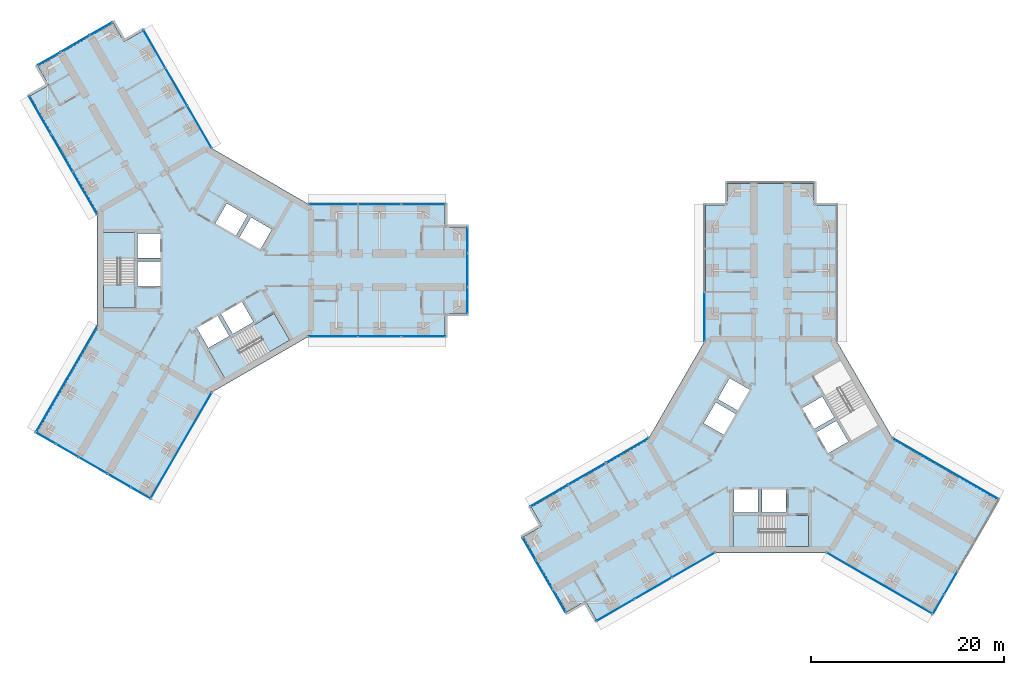
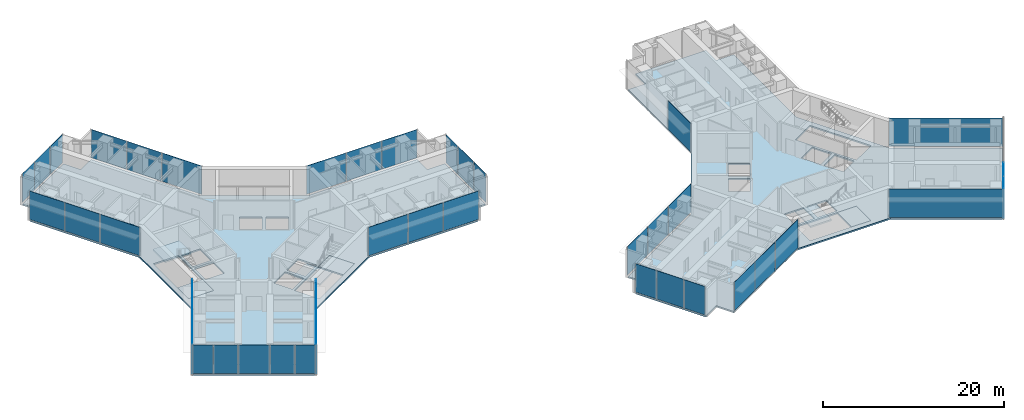
# One storey, part 13 of 22: 39 plates, 8 slabs, 19 elements without a shape of their own.
"""IFC4 building model written with IfcOpenShell, lengths in metres."""

from ifc_helpers import new_model, si_unit, direction, frame, origin, origin_2d, place, context, subcontext, project, spatial, polyline, rectangle, outline, extrude, material, layer, layer_set, type_object, element, aggregate, save


model = new_model("IFC4")

# Units and contexts
model_context = context("Model", 3, precision=1e-05, world=origin(), true_north=direction((0.0, 1.0)))
body_context = subcontext(model_context, "Body", "Model", "MODEL_VIEW")
ifc_project = project(units=[si_unit("LENGTHUNIT", "METRE"), si_unit("AREAUNIT", "SQUARE_METRE"), si_unit("VOLUMEUNIT", "CUBIC_METRE"), si_unit("PLANEANGLEUNIT", "RADIAN"), si_unit("MASSUNIT", "GRAM", prefix="KILO")], contexts=[model_context])

# Site, building, storey
site_placement = place(None, origin())
site = spatial("IfcSite", under=ifc_project, at=site_placement, CompositionType="ELEMENT")
building_placement = place(site_placement, origin())
building = spatial("IfcBuilding", under=site, at=building_placement, Name="Upepo Twin Towers", CompositionType="ELEMENT")
storey_placement = place(building_placement, frame((0.0, 0.0, 125.5)))
storey = spatial("IfcBuildingStorey", under=building, at=storey_placement, Name="L30", CompositionType="ELEMENT", Elevation=125.5)

# Curtain wall, plates
ifc_material_1 = material(Name="Aluminium and fritted glass", Category="aluminium")
curtain_wall_type = type_object("IfcCurtainWallType", Name="Tower curtain wall TW2, fritted glass", PredefinedType="NOTDEFINED", material=ifc_material_1)
curtain_wall_1_placement = place(storey_placement, origin())
curtain_wall_1 = element("IfcCurtainWall", 1, at=curtain_wall_1_placement, inside=storey, type_object=curtain_wall_type, Name="T1 L30 wing A flank L curtain wall", PredefinedType="NOTDEFINED")
ifc_material_2 = material(Name="Ceramic-fritted laminated glass", Category="glass")
ifc_layer_1 = layer(ifc_material_2, 0.031982421875)
ifc_layer_set_1 = layer_set([ifc_layer_1], Name="Fritted glass panel, 40 per cent dot frit, 32 mm double glazed")
plate_type_1 = type_object("IfcPlateType", Name="Fritted glass panel, 40 per cent dot frit, 32 mm double glazed", PredefinedType="CURTAIN_PANEL", material=ifc_layer_set_1)
plate_1_placement = place(storey_placement, frame((13.184814453125, 6.85009765625, 0.14990234375), z_axis=(0.0, 0.0, 1.0), x_axis=(1.0, 0.0, 0.0)))
plate_1 = element("IfcPlate", 2, at=plate_1_placement, type_object=plate_type_1, Name="T1 L30 wing A flank L curtain wall panel 1", PredefinedType="CURTAIN_PANEL", context=body_context, shape_type="SweptSolid", body=[
    extrude(rectangle(XDim=5.0654296875, YDim=0.031982421875, at=origin_2d()), origin(), (0.0, 0.0, 1.0), 3.85009765625),
])
plate_2_placement = place(storey_placement, frame((18.0, 6.85009765625, 0.14990234375), z_axis=(0.0, 0.0, 1.0), x_axis=(1.0, 0.0, 0.0)))
plate_2 = element("IfcPlate", 3, at=plate_2_placement, type_object=plate_type_1, Name="T1 L30 wing A flank L curtain wall panel 2", PredefinedType="CURTAIN_PANEL", context=body_context, shape_type="SweptSolid", body=[
    extrude(rectangle(XDim=4.43505859375, YDim=0.031982421875, at=origin_2d()), origin(), (0.0, 0.0, 1.0), 3.85009765625),
])
plate_3_placement = place(storey_placement, frame((22.53369140625, 6.85009765625, 0.14990234375), z_axis=(0.0, 0.0, 1.0), x_axis=(1.0, 0.0, 0.0)))
plate_3 = element("IfcPlate", 4, at=plate_3_placement, type_object=plate_type_1, Name="T1 L30 wing A flank L curtain wall panel 3", PredefinedType="CURTAIN_PANEL", context=body_context, shape_type="SweptSolid", body=[
    extrude(rectangle(XDim=4.50244140625, YDim=0.031982421875, at=origin_2d()), origin(), (0.0, 0.0, 1.0), 3.85009765625),
])
aggregate(curtain_wall_1, [plate_1, plate_2, plate_3])

curtain_wall_2_placement = place(storey_placement, origin())
curtain_wall_2 = element("IfcCurtainWall", 5, at=curtain_wall_2_placement, inside=storey, type_object=curtain_wall_type, Name="T1 L30 wing A flank R curtain wall", PredefinedType="NOTDEFINED")
plate_4_placement = place(storey_placement, frame((22.53369140625, -6.85009765625, 0.14990234375), z_axis=(0.0, 0.0, 1.0), x_axis=(-1.0, 0.0, 0.0)))
plate_4 = element("IfcPlate", 6, at=plate_4_placement, type_object=plate_type_1, Name="T1 L30 wing A flank R curtain wall panel 1", PredefinedType="CURTAIN_PANEL", context=body_context, shape_type="SweptSolid", body=[
    extrude(rectangle(XDim=4.50244140625, YDim=0.031982421875, at=origin_2d()), origin(), (0.0, 0.0, 1.0), 3.85009765625),
])
plate_5_placement = place(storey_placement, frame((18.0, -6.85009765625, 0.14990234375), z_axis=(0.0, 0.0, 1.0), x_axis=(-1.0, 0.0, 0.0)))
plate_5 = element("IfcPlate", 7, at=plate_5_placement, type_object=plate_type_1, Name="T1 L30 wing A flank R curtain wall panel 2", PredefinedType="CURTAIN_PANEL", context=body_context, shape_type="SweptSolid", body=[
    extrude(rectangle(XDim=4.43505859375, YDim=0.031982421875, at=origin_2d()), origin(), (0.0, 0.0, 1.0), 3.85009765625),
])
plate_6_placement = place(storey_placement, frame((13.184814453125, -6.85009765625, 0.14990234375), z_axis=(0.0, 0.0, 1.0), x_axis=(-1.0, 0.0, 0.0)))
plate_6 = element("IfcPlate", 8, at=plate_6_placement, type_object=plate_type_1, Name="T1 L30 wing A flank R curtain wall panel 3", PredefinedType="CURTAIN_PANEL", context=body_context, shape_type="SweptSolid", body=[
    extrude(rectangle(XDim=5.0654296875, YDim=0.031982421875, at=origin_2d()), origin(), (0.0, 0.0, 1.0), 3.85009765625),
])
aggregate(curtain_wall_2, [plate_4, plate_5, plate_6])

# Curtain wall, plate
curtain_wall_3_placement = place(storey_placement, origin())
curtain_wall_3 = element("IfcCurtainWall", 9, at=curtain_wall_3_placement, inside=storey, type_object=curtain_wall_type, Name="T1 L30 wing A nose curtain wall", PredefinedType="NOTDEFINED")
plate_7_placement = place(storey_placement, frame((27.10009765625, 0.0, 0.14990234375), z_axis=(0.0, 0.0, 1.0), x_axis=(0.0, 1.0, 0.0)))
plate_7 = element("IfcPlate", 10, at=plate_7_placement, type_object=plate_type_1, Name="T1 L30 wing A nose curtain wall panel 2", PredefinedType="CURTAIN_PANEL", context=body_context, shape_type="SweptSolid", body=[
    extrude(rectangle(XDim=3.43505859375, YDim=0.031982421875, at=origin_2d()), origin(), (0.0, 0.0, 1.0), 3.85009765625),
])

# Curtain wall, plates
curtain_wall_4_placement = place(storey_placement, origin())
curtain_wall_4 = element("IfcCurtainWall", 11, at=curtain_wall_4_placement, inside=storey, type_object=curtain_wall_type, Name="T1 L30 wing B flank L curtain wall", PredefinedType="NOTDEFINED")
plate_8_placement = place(storey_placement, frame((-12.524658203125, 7.993408203125, 0.14990234375), z_axis=(0.0, 0.0, 1.0), x_axis=(-0.500000010308, 0.866025397833, 0.0)))
plate_8 = element("IfcPlate", 12, at=plate_8_placement, type_object=plate_type_1, Name="T1 L30 wing B flank L curtain wall panel 1", PredefinedType="CURTAIN_PANEL", context=body_context, shape_type="SweptSolid", body=[
    extrude(rectangle(XDim=5.0654296875, YDim=0.031982421875, at=origin_2d()), origin(), (0.0, 0.0, 1.0), 3.85009765625),
])
plate_9_placement = place(storey_placement, frame((-14.932373046875, 12.16357421875, 0.14990234375), z_axis=(0.0, 0.0, 1.0), x_axis=(-0.500000010308, 0.866025397833, 0.0)))
plate_9 = element("IfcPlate", 13, at=plate_9_placement, type_object=plate_type_1, Name="T1 L30 wing B flank L curtain wall panel 2", PredefinedType="CURTAIN_PANEL", context=body_context, shape_type="SweptSolid", body=[
    extrude(rectangle(XDim=4.43505859375, YDim=0.031982421875, at=origin_2d()), origin(), (0.0, 0.0, 1.0), 3.85009765625),
])
plate_10_placement = place(storey_placement, frame((-17.19921875, 16.08984375, 0.14990234375), z_axis=(0.0, 0.0, 1.0), x_axis=(-0.500000010308, 0.866025397833, 0.0)))
plate_10 = element("IfcPlate", 14, at=plate_10_placement, type_object=plate_type_1, Name="T1 L30 wing B flank L curtain wall panel 3", PredefinedType="CURTAIN_PANEL", context=body_context, shape_type="SweptSolid", body=[
    extrude(rectangle(XDim=4.50244140625, YDim=0.031982421875, at=origin_2d()), origin(), (0.0, 0.0, 1.0), 3.85009765625),
])
aggregate(curtain_wall_4, [plate_8, plate_9, plate_10])

curtain_wall_5_placement = place(storey_placement, origin())
curtain_wall_5 = element("IfcCurtainWall", 15, at=curtain_wall_5_placement, inside=storey, type_object=curtain_wall_type, Name="T1 L30 wing B flank R curtain wall", PredefinedType="NOTDEFINED")
plate_11_placement = place(storey_placement, frame((-5.334716796875, 22.939697265625, 0.14990234375), z_axis=(0.0, 0.0, 1.0), x_axis=(0.500000010308, -0.866025397833, 0.0)))
plate_11 = element("IfcPlate", 16, at=plate_11_placement, type_object=plate_type_1, Name="T1 L30 wing B flank R curtain wall panel 1", PredefinedType="CURTAIN_PANEL", context=body_context, shape_type="SweptSolid", body=[
    extrude(rectangle(XDim=4.50244140625, YDim=0.031982421875, at=origin_2d()), origin(), (0.0, 0.0, 1.0), 3.85009765625),
])
plate_12_placement = place(storey_placement, frame((-3.067626953125, 19.013427734375, 0.14990234375), z_axis=(0.0, 0.0, 1.0), x_axis=(0.500000010308, -0.866025397833, 0.0)))
plate_12 = element("IfcPlate", 17, at=plate_12_placement, type_object=plate_type_1, Name="T1 L30 wing B flank R curtain wall panel 2", PredefinedType="CURTAIN_PANEL", context=body_context, shape_type="SweptSolid", body=[
    extrude(rectangle(XDim=4.43505859375, YDim=0.031982421875, at=origin_2d()), origin(), (0.0, 0.0, 1.0), 3.85009765625),
])
plate_13_placement = place(storey_placement, frame((-0.66015625, 14.84326171875, 0.14990234375), z_axis=(0.0, 0.0, 1.0), x_axis=(0.500000010308, -0.866025397833, 0.0)))
plate_13 = element("IfcPlate", 18, at=plate_13_placement, type_object=plate_type_1, Name="T1 L30 wing B flank R curtain wall panel 3", PredefinedType="CURTAIN_PANEL", context=body_context, shape_type="SweptSolid", body=[
    extrude(rectangle(XDim=5.0654296875, YDim=0.031982421875, at=origin_2d()), origin(), (0.0, 0.0, 1.0), 3.85009765625),
])
aggregate(curtain_wall_5, [plate_11, plate_12, plate_13])

# Curtain wall, plate
curtain_wall_6_placement = place(storey_placement, origin())
curtain_wall_6 = element("IfcCurtainWall", 19, at=curtain_wall_6_placement, inside=storey, type_object=curtain_wall_type, Name="T1 L30 wing B nose curtain wall", PredefinedType="NOTDEFINED")
plate_14_placement = place(storey_placement, frame((-13.550048828125, 23.46923828125, 0.14990234375), z_axis=(0.0, 0.0, 1.0), x_axis=(-0.866025386174, -0.500000030502, 0.0)))
plate_14 = element("IfcPlate", 20, at=plate_14_placement, type_object=plate_type_1, Name="T1 L30 wing B nose curtain wall panel 2", PredefinedType="CURTAIN_PANEL", context=body_context, shape_type="SweptSolid", body=[
    extrude(rectangle(XDim=3.43505859375, YDim=0.031982421875, at=origin_2d()), origin(), (0.0, 0.0, 1.0), 3.85009765625),
])

curtain_wall_7_placement = place(storey_placement, origin())
curtain_wall_7 = element("IfcCurtainWall", 21, at=curtain_wall_7_placement, inside=storey, type_object=curtain_wall_type, Name="T1 L30 wing C flank L curtain wall", PredefinedType="NOTDEFINED")
plate_15_placement = place(storey_placement, frame((-2.552001953125, -18.1201171875, 0.14990234375), z_axis=(0.0, 0.0, 1.0), x_axis=(-0.50000000792, -0.866025399212, 0.0)))
plate_15 = element("IfcPlate", 22, at=plate_15_placement, type_object=plate_type_1, Name="T1 L30 wing C flank L curtain wall panel 1", PredefinedType="CURTAIN_PANEL", context=body_context, shape_type="SweptSolid", body=[
    extrude(rectangle(XDim=12.6328125, YDim=0.031982421875, at=origin_2d()), origin(), (0.0, 0.0, 1.0), 3.85009765625),
])
aggregate(curtain_wall_7, [plate_15])

curtain_wall_8_placement = place(storey_placement, origin())
curtain_wall_8 = element("IfcCurtainWall", 23, at=curtain_wall_8_placement, inside=storey, type_object=curtain_wall_type, Name="T1 L30 wing C flank R curtain wall", PredefinedType="NOTDEFINED")
plate_16_placement = place(storey_placement, frame((-14.41650390625, -11.270263671875, 0.14990234375), z_axis=(0.0, 0.0, 1.0), x_axis=(0.50000000792, 0.866025399212, 0.0)))
plate_16 = element("IfcPlate", 24, at=plate_16_placement, type_object=plate_type_1, Name="T1 L30 wing C flank R curtain wall panel 1", PredefinedType="CURTAIN_PANEL", context=body_context, shape_type="SweptSolid", body=[
    extrude(rectangle(XDim=12.6328125, YDim=0.031982421875, at=origin_2d()), origin(), (0.0, 0.0, 1.0), 3.85009765625),
])
aggregate(curtain_wall_8, [plate_16])

# Curtain wall, plates
curtain_wall_9_placement = place(storey_placement, origin())
curtain_wall_9 = element("IfcCurtainWall", 25, at=curtain_wall_9_placement, inside=storey, type_object=curtain_wall_type, Name="T1 L30 wing C nose curtain wall", PredefinedType="NOTDEFINED")
plate_17_placement = place(storey_placement, frame((-14.38134765625, -18.6591796875, 0.14990234375), z_axis=(0.0, 0.0, 1.0), x_axis=(0.866025419745, -0.499999972355, 0.0)))
plate_17 = element("IfcPlate", 26, at=plate_17_placement, type_object=plate_type_1, Name="T1 L30 wing C nose curtain wall panel 2", PredefinedType="CURTAIN_PANEL", context=body_context, shape_type="SweptSolid", body=[
    extrude(rectangle(XDim=2.68505859375, YDim=0.031982421875, at=origin_2d()), origin(), (0.0, 0.0, 1.0), 3.85009765625),
])
plate_18_placement = place(storey_placement, frame((-11.675048828125, -20.2216796875, 0.14990234375), z_axis=(0.0, 0.0, 1.0), x_axis=(0.866025419745, -0.499999972355, 0.0)))
plate_18 = element("IfcPlate", 27, at=plate_18_placement, type_object=plate_type_1, Name="T1 L30 wing C nose curtain wall panel 3", PredefinedType="CURTAIN_PANEL", context=body_context, shape_type="SweptSolid", body=[
    extrude(rectangle(XDim=3.43505859375, YDim=0.031982421875, at=origin_2d()), origin(), (0.0, 0.0, 1.0), 3.85009765625),
])
plate_19_placement = place(storey_placement, frame((-8.96875, -21.7841796875, 0.14990234375), z_axis=(0.0, 0.0, 1.0), x_axis=(0.866025419745, -0.499999972355, 0.0)))
plate_19 = element("IfcPlate", 28, at=plate_19_placement, type_object=plate_type_1, Name="T1 L30 wing C nose curtain wall panel 4", PredefinedType="CURTAIN_PANEL", context=body_context, shape_type="SweptSolid", body=[
    extrude(rectangle(XDim=2.68505859375, YDim=0.031982421875, at=origin_2d()), origin(), (0.0, 0.0, 1.0), 3.85009765625),
])

# Curtain wall, plate
curtain_wall_10_placement = place(storey_placement, origin())
curtain_wall_10 = element("IfcCurtainWall", 29, at=curtain_wall_10_placement, inside=storey, type_object=curtain_wall_type, Name="T2 L30 wing A flank L curtain wall", PredefinedType="NOTDEFINED")
plate_20_placement = place(storey_placement, frame((51.64990234375, -4.815185546875, 0.14990234375), z_axis=(0.0, 0.0, 1.0), x_axis=(0.0, 1.0, 0.0)))
plate_20 = element("IfcPlate", 30, at=plate_20_placement, type_object=plate_type_1, Name="T2 L30 wing A flank L curtain wall panel 1", PredefinedType="CURTAIN_PANEL", context=body_context, shape_type="SweptSolid", body=[
    extrude(rectangle(XDim=5.0654296875, YDim=0.031982421875, at=origin_2d()), origin(), (0.0, 0.0, 1.0), 3.85009765625),
])
aggregate(curtain_wall_10, [plate_20])

# Curtain wall, plates
curtain_wall_11_placement = place(storey_placement, origin())
curtain_wall_11 = element("IfcCurtainWall", 31, at=curtain_wall_11_placement, inside=storey, type_object=curtain_wall_type, Name="T2 L30 wing B flank L curtain wall", PredefinedType="NOTDEFINED")
plate_21_placement = place(storey_placement, frame((50.506591796875, -30.524658203125, 0.14990234375), z_axis=(0.0, 0.0, 1.0), x_axis=(-0.866025397833, -0.500000010308, 0.0)))
plate_21 = element("IfcPlate", 32, at=plate_21_placement, type_object=plate_type_1, Name="T2 L30 wing B flank L curtain wall panel 1", PredefinedType="CURTAIN_PANEL", context=body_context, shape_type="SweptSolid", body=[
    extrude(rectangle(XDim=5.0654296875, YDim=0.031982421875, at=origin_2d()), origin(), (0.0, 0.0, 1.0), 3.85009765625),
])
plate_22_placement = place(storey_placement, frame((46.33642578125, -32.932373046875, 0.14990234375), z_axis=(0.0, 0.0, 1.0), x_axis=(-0.866025397833, -0.500000010308, 0.0)))
plate_22 = element("IfcPlate", 33, at=plate_22_placement, type_object=plate_type_1, Name="T2 L30 wing B flank L curtain wall panel 2", PredefinedType="CURTAIN_PANEL", context=body_context, shape_type="SweptSolid", body=[
    extrude(rectangle(XDim=4.43505859375, YDim=0.031982421875, at=origin_2d()), origin(), (0.0, 0.0, 1.0), 3.85009765625),
])
plate_23_placement = place(storey_placement, frame((42.41015625, -35.19921875, 0.14990234375), z_axis=(0.0, 0.0, 1.0), x_axis=(-0.866025397833, -0.500000010308, 0.0)))
plate_23 = element("IfcPlate", 34, at=plate_23_placement, type_object=plate_type_1, Name="T2 L30 wing B flank L curtain wall panel 3", PredefinedType="CURTAIN_PANEL", context=body_context, shape_type="SweptSolid", body=[
    extrude(rectangle(XDim=4.50244140625, YDim=0.031982421875, at=origin_2d()), origin(), (0.0, 0.0, 1.0), 3.85009765625),
])
aggregate(curtain_wall_11, [plate_21, plate_22, plate_23])

curtain_wall_12_placement = place(storey_placement, origin())
curtain_wall_12 = element("IfcCurtainWall", 35, at=curtain_wall_12_placement, inside=storey, type_object=curtain_wall_type, Name="T2 L30 wing B flank R curtain wall", PredefinedType="NOTDEFINED")
plate_24_placement = place(storey_placement, frame((35.560302734375, -23.334716796875, 0.14990234375), z_axis=(0.0, 0.0, 1.0), x_axis=(0.866025397833, 0.500000010308, 0.0)))
plate_24 = element("IfcPlate", 36, at=plate_24_placement, type_object=plate_type_1, Name="T2 L30 wing B flank R curtain wall panel 1", PredefinedType="CURTAIN_PANEL", context=body_context, shape_type="SweptSolid", body=[
    extrude(rectangle(XDim=4.50244140625, YDim=0.031982421875, at=origin_2d()), origin(), (0.0, 0.0, 1.0), 3.85009765625),
])
plate_25_placement = place(storey_placement, frame((39.486572265625, -21.067626953125, 0.14990234375), z_axis=(0.0, 0.0, 1.0), x_axis=(0.866025397833, 0.500000010308, 0.0)))
plate_25 = element("IfcPlate", 37, at=plate_25_placement, type_object=plate_type_1, Name="T2 L30 wing B flank R curtain wall panel 2", PredefinedType="CURTAIN_PANEL", context=body_context, shape_type="SweptSolid", body=[
    extrude(rectangle(XDim=4.43505859375, YDim=0.031982421875, at=origin_2d()), origin(), (0.0, 0.0, 1.0), 3.85009765625),
])
plate_26_placement = place(storey_placement, frame((43.65673828125, -18.66015625, 0.14990234375), z_axis=(0.0, 0.0, 1.0), x_axis=(0.866025397833, 0.500000010308, 0.0)))
plate_26 = element("IfcPlate", 38, at=plate_26_placement, type_object=plate_type_1, Name="T2 L30 wing B flank R curtain wall panel 3", PredefinedType="CURTAIN_PANEL", context=body_context, shape_type="SweptSolid", body=[
    extrude(rectangle(XDim=5.0654296875, YDim=0.031982421875, at=origin_2d()), origin(), (0.0, 0.0, 1.0), 3.85009765625),
])
aggregate(curtain_wall_12, [plate_24, plate_25, plate_26])

# Curtain wall, plate
curtain_wall_13_placement = place(storey_placement, origin())
curtain_wall_13 = element("IfcCurtainWall", 39, at=curtain_wall_13_placement, inside=storey, type_object=curtain_wall_type, Name="T2 L30 wing B nose curtain wall", PredefinedType="NOTDEFINED")
plate_27_placement = place(storey_placement, frame((35.03076171875, -31.550048828125, 0.14990234375), z_axis=(0.0, 0.0, 1.0), x_axis=(0.500000030502, -0.866025386174, 0.0)))
plate_27 = element("IfcPlate", 40, at=plate_27_placement, type_object=plate_type_1, Name="T2 L30 wing B nose curtain wall panel 2", PredefinedType="CURTAIN_PANEL", context=body_context, shape_type="SweptSolid", body=[
    extrude(rectangle(XDim=3.43505859375, YDim=0.031982421875, at=origin_2d()), origin(), (0.0, 0.0, 1.0), 3.85009765625),
])

curtain_wall_14_placement = place(storey_placement, origin())
curtain_wall_14 = element("IfcCurtainWall", 41, at=curtain_wall_14_placement, inside=storey, type_object=curtain_wall_type, Name="T2 L30 wing C flank L curtain wall", PredefinedType="NOTDEFINED")
plate_28_placement = place(storey_placement, frame((76.6201171875, -20.552001953125, 0.14990234375), z_axis=(0.0, 0.0, 1.0), x_axis=(0.866025399212, -0.50000000792, 0.0)))
plate_28 = element("IfcPlate", 42, at=plate_28_placement, type_object=plate_type_1, Name="T2 L30 wing C flank L curtain wall panel 1", PredefinedType="CURTAIN_PANEL", context=body_context, shape_type="SweptSolid", body=[
    extrude(rectangle(XDim=12.6328125, YDim=0.031982421875, at=origin_2d()), origin(), (0.0, 0.0, 1.0), 3.85009765625),
])
aggregate(curtain_wall_14, [plate_28])

curtain_wall_15_placement = place(storey_placement, origin())
curtain_wall_15 = element("IfcCurtainWall", 43, at=curtain_wall_15_placement, inside=storey, type_object=curtain_wall_type, Name="T2 L30 wing C flank R curtain wall", PredefinedType="NOTDEFINED")
plate_29_placement = place(storey_placement, frame((69.770263671875, -32.41650390625, 0.14990234375), z_axis=(0.0, 0.0, 1.0), x_axis=(-0.866025399212, 0.50000000792, 0.0)))
plate_29 = element("IfcPlate", 44, at=plate_29_placement, type_object=plate_type_1, Name="T2 L30 wing C flank R curtain wall panel 1", PredefinedType="CURTAIN_PANEL", context=body_context, shape_type="SweptSolid", body=[
    extrude(rectangle(XDim=12.6328125, YDim=0.031982421875, at=origin_2d()), origin(), (0.0, 0.0, 1.0), 3.85009765625),
])
aggregate(curtain_wall_15, [plate_29])

curtain_wall_16_placement = place(storey_placement, origin())
curtain_wall_16 = element("IfcCurtainWall", 45, at=curtain_wall_16_placement, inside=storey, type_object=curtain_wall_type, Name="T2 L30 wing C nose curtain wall", PredefinedType="NOTDEFINED")
plate_30_placement = place(storey_placement, frame((77.1591796875, -32.38134765625, 0.14990234375), z_axis=(0.0, 0.0, 1.0), x_axis=(0.499999972355, 0.866025419745, 0.0)))
plate_30 = element("IfcPlate", 46, at=plate_30_placement, type_object=plate_type_1, Name="T2 L30 wing C nose curtain wall panel 2", PredefinedType="CURTAIN_PANEL", context=body_context, shape_type="SweptSolid", body=[
    extrude(rectangle(XDim=2.68505859375, YDim=0.031982421875, at=origin_2d()), origin(), (0.0, 0.0, 1.0), 3.85009765625),
])

# Plate
ifc_material_3 = material(Name="Clear laminated glass in opening sash", Category="glass")
ifc_layer_2 = layer(ifc_material_3, 0.031982421875)
ifc_layer_set_2 = layer_set([ifc_layer_2], Name="Operable glass panel, 32 mm double glazed")
plate_type_2 = type_object("IfcPlateType", Name="Operable glass panel, 32 mm double glazed", PredefinedType="CURTAIN_PANEL", material=ifc_layer_set_2)
plate_31_placement = place(storey_placement, frame((27.10009765625, -3.108642578125, 0.14990234375), z_axis=(0.0, 0.0, 1.0), x_axis=(0.0, 1.0, 0.0)))
plate_31 = element("IfcPlate", 47, at=plate_31_placement, type_object=plate_type_2, Name="T1 L30 wing A nose curtain wall panel 1", PredefinedType="CURTAIN_PANEL", context=body_context, shape_type="SweptSolid", body=[
    extrude(rectangle(XDim=2.652587890625, YDim=0.031982421875, at=origin_2d()), origin(), (0.0, 0.0, 1.0), 3.85009765625),
])

plate_32_placement = place(storey_placement, frame((27.10009765625, 3.108642578125, 0.14990234375), z_axis=(0.0, 0.0, 1.0), x_axis=(0.0, 1.0, 0.0)))
plate_32 = element("IfcPlate", 48, at=plate_32_placement, type_object=plate_type_2, Name="T1 L30 wing A nose curtain wall panel 3", PredefinedType="CURTAIN_PANEL", context=body_context, shape_type="SweptSolid", body=[
    extrude(rectangle(XDim=2.652587890625, YDim=0.031982421875, at=origin_2d()), origin(), (0.0, 0.0, 1.0), 3.85009765625),
])

aggregate(curtain_wall_3, [plate_31, plate_7, plate_32])

plate_33_placement = place(storey_placement, frame((-10.857666015625, 25.023681640625, 0.14990234375), z_axis=(0.0, 0.0, 1.0), x_axis=(-0.866025386174, -0.500000030502, 0.0)))
plate_33 = element("IfcPlate", 49, at=plate_33_placement, type_object=plate_type_2, Name="T1 L30 wing B nose curtain wall panel 1", PredefinedType="CURTAIN_PANEL", context=body_context, shape_type="SweptSolid", body=[
    extrude(rectangle(XDim=2.652587890625, YDim=0.031982421875, at=origin_2d()), origin(), (0.0, 0.0, 1.0), 3.85009765625),
])

plate_34_placement = place(storey_placement, frame((-16.2421875, 21.914794921875, 0.14990234375), z_axis=(0.0, 0.0, 1.0), x_axis=(-0.866025386174, -0.500000030502, 0.0)))
plate_34 = element("IfcPlate", 50, at=plate_34_placement, type_object=plate_type_2, Name="T1 L30 wing B nose curtain wall panel 3", PredefinedType="CURTAIN_PANEL", context=body_context, shape_type="SweptSolid", body=[
    extrude(rectangle(XDim=2.652587890625, YDim=0.031982421875, at=origin_2d()), origin(), (0.0, 0.0, 1.0), 3.85009765625),
])

aggregate(curtain_wall_6, [plate_33, plate_14, plate_34])

plate_35_placement = place(storey_placement, frame((-16.618896484375, -17.367431640625, 0.14990234375), z_axis=(0.0, 0.0, 1.0), x_axis=(0.866025419745, -0.499999972355, 0.0)))
plate_35 = element("IfcPlate", 51, at=plate_35_placement, type_object=plate_type_2, Name="T1 L30 wing C nose curtain wall panel 1", PredefinedType="CURTAIN_PANEL", context=body_context, shape_type="SweptSolid", body=[
    extrude(rectangle(XDim=2.3525390625, YDim=0.031982421875, at=origin_2d()), origin(), (0.0, 0.0, 1.0), 3.85009765625),
])

plate_36_placement = place(storey_placement, frame((-6.73095703125, -23.076171875, 0.14990234375), z_axis=(0.0, 0.0, 1.0), x_axis=(0.866025419745, -0.499999972355, 0.0)))
plate_36 = element("IfcPlate", 52, at=plate_36_placement, type_object=plate_type_2, Name="T1 L30 wing C nose curtain wall panel 5", PredefinedType="CURTAIN_PANEL", context=body_context, shape_type="SweptSolid", body=[
    extrude(rectangle(XDim=2.3525390625, YDim=0.031982421875, at=origin_2d()), origin(), (0.0, 0.0, 1.0), 3.85009765625),
])

aggregate(curtain_wall_9, [plate_35, plate_17, plate_18, plate_19, plate_36])

plate_37_placement = place(storey_placement, frame((33.476318359375, -28.857666015625, 0.14990234375), z_axis=(0.0, 0.0, 1.0), x_axis=(0.500000030502, -0.866025386174, 0.0)))
plate_37 = element("IfcPlate", 53, at=plate_37_placement, type_object=plate_type_2, Name="T2 L30 wing B nose curtain wall panel 1", PredefinedType="CURTAIN_PANEL", context=body_context, shape_type="SweptSolid", body=[
    extrude(rectangle(XDim=2.652587890625, YDim=0.031982421875, at=origin_2d()), origin(), (0.0, 0.0, 1.0), 3.85009765625),
])

plate_38_placement = place(storey_placement, frame((36.585205078125, -34.2421875, 0.14990234375), z_axis=(0.0, 0.0, 1.0), x_axis=(0.500000030502, -0.866025386174, 0.0)))
plate_38 = element("IfcPlate", 54, at=plate_38_placement, type_object=plate_type_2, Name="T2 L30 wing B nose curtain wall panel 3", PredefinedType="CURTAIN_PANEL", context=body_context, shape_type="SweptSolid", body=[
    extrude(rectangle(XDim=2.652587890625, YDim=0.031982421875, at=origin_2d()), origin(), (0.0, 0.0, 1.0), 3.85009765625),
])

aggregate(curtain_wall_13, [plate_37, plate_27, plate_38])

plate_39_placement = place(storey_placement, frame((75.867431640625, -34.618896484375, 0.14990234375), z_axis=(0.0, 0.0, 1.0), x_axis=(0.499999972355, 0.866025419745, 0.0)))
plate_39 = element("IfcPlate", 55, at=plate_39_placement, type_object=plate_type_2, Name="T2 L30 wing C nose curtain wall panel 1", PredefinedType="CURTAIN_PANEL", context=body_context, shape_type="SweptSolid", body=[
    extrude(rectangle(XDim=2.3525390625, YDim=0.031982421875, at=origin_2d()), origin(), (0.0, 0.0, 1.0), 3.85009765625),
])

aggregate(curtain_wall_16, [plate_39, plate_30])

# Stair, slabs
ifc_material_4 = material(Name="Concrete C40/50", Category="concrete")
stair_type = type_object("IfcStairType", Name="Core stair, two flights", PredefinedType="HALF_TURN_STAIR", material=ifc_material_4)
stair_1_placement = place(storey_placement, origin())
stair_1 = element("IfcStair", 56, at=stair_1_placement, inside=storey, type_object=stair_type, Name="T1 stair S1 L30", PredefinedType="HALF_TURN_STAIR")
ifc_material_5 = material(Name="Concrete C40/50", Category="concrete")
ifc_layer_3 = layer(ifc_material_5, 0.199951171875)
ifc_layer_set_3 = layer_set([ifc_layer_3], Name="Concrete C40/50")
slab_type_1 = type_object("IfcSlabType", Name="Stair landing 200 RC", PredefinedType="LANDING", material=ifc_layer_set_3)
slab_1_placement = place(storey_placement, frame((0.0, 0.0, -0.199951171875)))
slab_1 = element("IfcSlab", 57, at=slab_1_placement, type_object=slab_type_1, Name="Stair S1 landing 1", PredefinedType="LANDING", context=body_context, shape_type="SweptSolid", body=[
    extrude(outline(polyline([(-7.39990234375, -1.419921875), (-10.6083984375, -1.419921875), (-10.6083984375, -3.89990234375), (-7.39990234375, -3.89990234375), (-7.39990234375, -1.419921875)])), origin(), (0.0, 0.0, 1.0), 0.199951171875),
])
slab_2_placement = place(storey_placement, frame((0.0, 0.0, 1.800048828125)))
slab_2 = element("IfcSlab", 58, at=slab_2_placement, type_object=slab_type_1, Name="Stair S1 landing 2", PredefinedType="LANDING", context=body_context, shape_type="SweptSolid", body=[
    extrude(outline(polyline([(-7.300048828125, 3.89990234375), (-10.708251953125, 3.89990234375), (-10.708251953125, 1.179931640625), (-7.300048828125, 1.179931640625), (-7.300048828125, 3.89990234375)])), origin(), (0.0, 0.0, 1.0), 0.199951171875),
])
aggregate(stair_1, [slab_1, slab_2])

stair_2_placement = place(storey_placement, origin())
stair_2 = element("IfcStair", 59, at=stair_2_placement, inside=storey, type_object=stair_type, Name="T1 stair S2 L30", PredefinedType="HALF_TURN_STAIR")
slab_3_placement = place(storey_placement, frame((0.0, 0.0, -0.199951171875)))
slab_3 = element("IfcSlab", 60, at=slab_3_placement, type_object=slab_type_1, Name="Stair S2 landing 1", PredefinedType="LANDING", context=body_context, shape_type="SweptSolid", body=[
    extrude(outline(polyline([(4.9296875, -5.698486328125), (6.533935546875, -8.47705078125), (8.681640625, -7.237060546875), (7.077392578125, -4.45849609375), (4.9296875, -5.698486328125)])), origin(), (0.0, 0.0, 1.0), 0.199951171875),
])
slab_4_placement = place(storey_placement, frame((0.0, 0.0, 1.800048828125)))
slab_4 = element("IfcSlab", 61, at=slab_4_placement, type_object=slab_type_1, Name="Stair S2 landing 2", PredefinedType="LANDING", context=body_context, shape_type="SweptSolid", body=[
    extrude(outline(polyline([(0.2724609375, -8.27197265625), (1.9765625, -11.2236328125), (4.332275390625, -9.86376953125), (2.628173828125, -6.911865234375), (0.2724609375, -8.27197265625)])), origin(), (0.0, 0.0, 1.0), 0.199951171875),
])
aggregate(stair_2, [slab_3, slab_4])

stair_3_placement = place(storey_placement, origin())
stair_3 = element("IfcStair", 62, at=stair_3_placement, inside=storey, type_object=stair_type, Name="T2 stair S1 L30", PredefinedType="HALF_TURN_STAIR")
slab_5_placement = place(storey_placement, frame((0.0, 0.0, -0.199951171875)))
slab_5 = element("IfcSlab", 63, at=slab_5_placement, type_object=slab_type_1, Name="Stair S1 landing 1", PredefinedType="LANDING", context=body_context, shape_type="SweptSolid", body=[
    extrude(outline(polyline([(59.919921875, -25.39990234375), (59.919921875, -28.6083984375), (62.39990234375, -28.6083984375), (62.39990234375, -25.39990234375), (59.919921875, -25.39990234375)])), origin(), (0.0, 0.0, 1.0), 0.199951171875),
])
slab_6_placement = place(storey_placement, frame((0.0, 0.0, 1.800048828125)))
slab_6 = element("IfcSlab", 64, at=slab_6_placement, type_object=slab_type_1, Name="Stair S1 landing 2", PredefinedType="LANDING", context=body_context, shape_type="SweptSolid", body=[
    extrude(outline(polyline([(54.60009765625, -25.300048828125), (54.60009765625, -28.708251953125), (57.320068359375, -28.708251953125), (57.320068359375, -25.300048828125), (54.60009765625, -25.300048828125)])), origin(), (0.0, 0.0, 1.0), 0.199951171875),
])
aggregate(stair_3, [slab_5, slab_6])

# Slabs
ifc_material_6 = material(Name="Concrete C40/50", Category="concrete")
ifc_layer_4 = layer(ifc_material_6, 0.199951171875)
ifc_layer_set_4 = layer_set([ifc_layer_4], Name="Concrete C40/50")
slab_type_2 = type_object("IfcSlabType", Name="Tower floor slab 200 RC", PredefinedType="FLOOR", material=ifc_layer_set_4)
slab_7_placement = place(storey_placement, frame((0.0, 0.0, -0.199951171875)))
element("IfcSlab", 65, at=slab_7_placement, inside=storey, type_object=slab_type_2, Name="T1 L30 floor slab", PredefinedType="FLOOR", context=body_context, shape_type="SweptSolid", body=[
    extrude(outline(polyline([(-17.470703125, -16.760009765625), (-11.25830078125, -6.0), (-11.25830078125, 6.0), (-18.220703125, 18.05908203125), (-16.272216796875, 19.18408203125), (-17.397216796875, 21.132568359375), (-9.602783203125, 25.632568359375), (-8.477783203125, 23.68408203125), (-6.529296875, 24.80908203125), (0.43310546875, 12.75), (10.825439453125, 6.75), (24.75, 6.75), (24.75, 4.5), (27.0, 4.5), (27.0, -4.5), (24.75, -4.5), (24.75, -6.75), (10.825439453125, -6.75), (0.43310546875, -12.75), (-5.779296875, -23.510009765625), (-17.470703125, -16.760009765625)]), holes=[polyline([(5.640869140625, 2.17041015625), (6.8408203125, 4.248779296875), (4.67578125, 5.498779296875), (3.475830078125, 3.42041015625), (5.640869140625, 2.17041015625)]), polyline([(3.12939453125, 3.620361328125), (4.329345703125, 5.69873046875), (2.164306640625, 6.94873046875), (0.96435546875, 4.870361328125), (3.12939453125, 3.620361328125)]), polyline([(-4.699951171875, 3.800048828125), (-7.10009765625, 3.800048828125), (-7.10009765625, 1.300048828125), (-4.699951171875, 1.300048828125), (-4.699951171875, 3.800048828125)]), polyline([(-4.699951171875, 0.89990234375), (-7.10009765625, 0.89990234375), (-7.10009765625, -1.60009765625), (-4.699951171875, -1.60009765625), (-4.699951171875, 0.89990234375)]), polyline([(-7.39990234375, 3.89990234375), (-10.6083984375, 3.89990234375), (-10.6083984375, -3.89990234375), (-7.39990234375, -3.89990234375), (-7.39990234375, 3.89990234375)]), polyline([(-0.94091796875, -5.97021484375), (0.259033203125, -8.048828125), (2.424072265625, -6.798828125), (1.22412109375, -4.72021484375), (-0.94091796875, -5.97021484375)]), polyline([(1.570556640625, -4.520263671875), (2.7705078125, -6.598876953125), (4.935546875, -5.348876953125), (3.735595703125, -3.270263671875), (1.570556640625, -4.520263671875)]), polyline([(0.322509765625, -8.358642578125), (1.9267578125, -11.136962890625), (8.681640625, -7.237060546875), (7.077392578125, -4.45849609375), (0.322509765625, -8.358642578125)])]), origin(), (0.0, 0.0, 1.0), 0.199951171875),
])
slab_8_placement = place(storey_placement, frame((0.0, 0.0, -0.199951171875)))
element("IfcSlab", 66, at=slab_8_placement, inside=storey, type_object=slab_type_2, Name="T2 L30 floor slab", PredefinedType="FLOOR", context=body_context, shape_type="SweptSolid", body=[
    extrude(outline(polyline([(75.260009765625, -35.470703125), (64.5, -29.25830078125), (52.5, -29.25830078125), (40.44091796875, -36.220703125), (39.31591796875, -34.272216796875), (37.367431640625, -35.397216796875), (32.867431640625, -27.602783203125), (34.81591796875, -26.477783203125), (33.69091796875, -24.529296875), (45.75, -17.56689453125), (51.75, -7.174560546875), (51.75, 6.75), (54.0, 6.75), (54.0, 9.0), (63.0, 9.0), (63.0, 6.75), (65.25, 6.75), (65.25, -7.174560546875), (71.25, -17.56689453125), (82.010009765625, -23.779296875), (75.260009765625, -35.470703125)]), holes=[polyline([(56.32958984375, -12.359130859375), (54.251220703125, -11.1591796875), (53.001220703125, -13.32421875), (55.07958984375, -14.524169921875), (56.32958984375, -12.359130859375)]), polyline([(54.879638671875, -14.87060546875), (52.80126953125, -13.670654296875), (51.55126953125, -15.835693359375), (53.629638671875, -17.03564453125), (54.879638671875, -14.87060546875)]), polyline([(54.699951171875, -22.699951171875), (54.699951171875, -25.10009765625), (57.199951171875, -25.10009765625), (57.199951171875, -22.699951171875), (54.699951171875, -22.699951171875)]), polyline([(57.60009765625, -22.699951171875), (57.60009765625, -25.10009765625), (60.10009765625, -25.10009765625), (60.10009765625, -22.699951171875), (57.60009765625, -22.699951171875)]), polyline([(54.60009765625, -25.39990234375), (54.60009765625, -28.6083984375), (62.39990234375, -28.6083984375), (62.39990234375, -25.39990234375), (54.60009765625, -25.39990234375)]), polyline([(64.47021484375, -18.94091796875), (66.548828125, -17.740966796875), (65.298828125, -15.575927734375), (63.22021484375, -16.77587890625), (64.47021484375, -18.94091796875)]), polyline([(63.020263671875, -16.429443359375), (65.098876953125, -15.2294921875), (63.848876953125, -13.064453125), (61.770263671875, -14.264404296875), (63.020263671875, -16.429443359375)]), polyline([(66.858642578125, -17.677490234375), (69.636962890625, -16.0732421875), (65.737060546875, -9.318359375), (62.95849609375, -10.922607421875), (66.858642578125, -17.677490234375)])]), origin(), (0.0, 0.0, 1.0), 0.199951171875),
])

save(model, "model.ifc")
